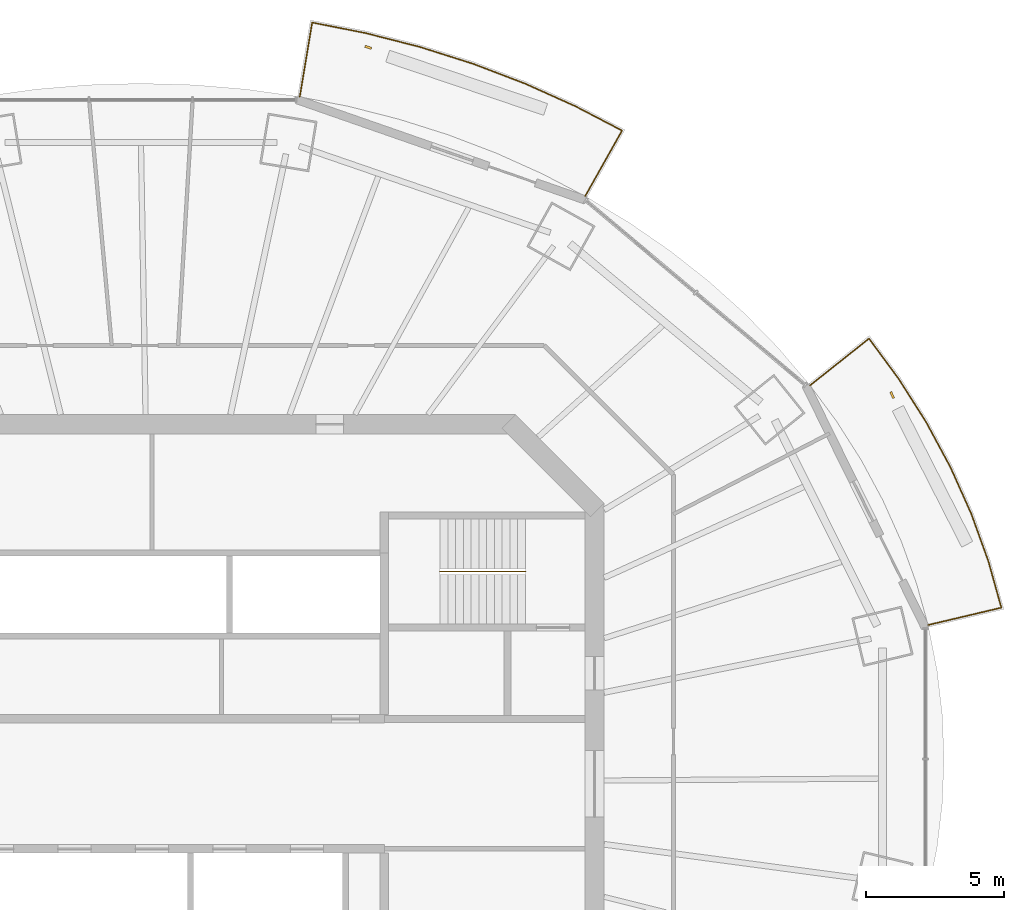
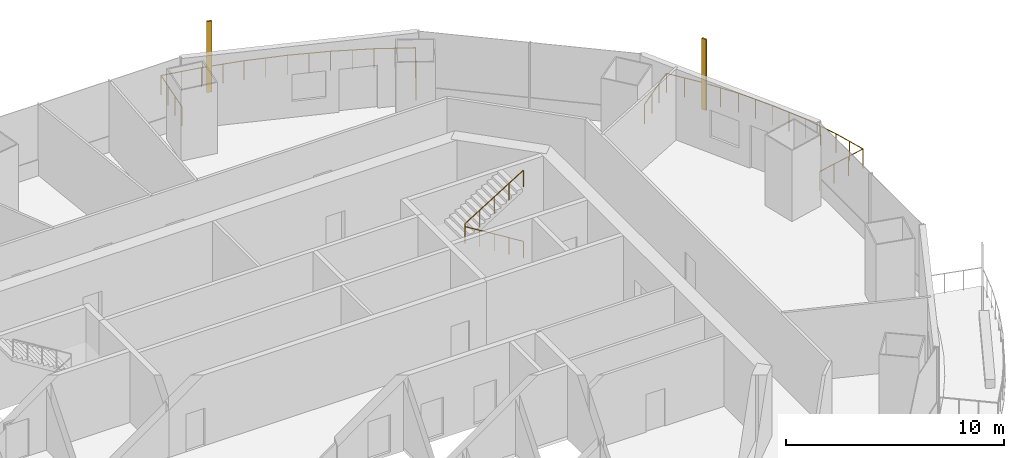
# One storey, part 15 of 16: 3 railings, 2 shading devices.
"""IFC4 building model written with IfcOpenShell, lengths in metres."""

import ifcopenshell
import ifcopenshell.guid

model = None  # the IFC model being written
_history = None  # IfcOwnerHistory: only IFC2X3 demands one
_inside = {}  # id of a spatial element -> (the spatial element, [elements in it])
_under = {}  # id of a project, library or spatial element -> (it, [spatial elements below it])
_declared = {}  # id of a project -> (the project, [libraries it declares])
_typed = {}  # id of a type object -> (the type object, [elements of that type])
_made_of = {}  # id of a material, layer set ... -> (it, [elements and type objects made of it])


def new_model(schema):
    """Start an empty IFC model of exactly this schema.

    Asked for "IFC4X3", IfcOpenShell would pick the latest addendum, in which some entities
    have other attributes; the version numbers below select the first issue.
    IFC2X3 requires an IfcOwnerHistory on every rooted entity: one is made here for all.
    """
    global model, _history
    if schema == "IFC4X3":
        model = ifcopenshell.file(schema_version=(4, 3, 0, 0))
    else:
        model = ifcopenshell.file(schema=schema)
    _inside.clear()
    _under.clear()
    _declared.clear()
    _typed.clear()
    _made_of.clear()
    _history = None
    if model.schema == "IFC2X3":
        org = make("IfcOrganization", Name="unknown")
        user = make(
            "IfcPersonAndOrganization",
            ThePerson=make("IfcPerson", FamilyName="unknown"),
            TheOrganization=org,
        )
        app = make(
            "IfcApplication",
            ApplicationDeveloper=org,
            Version="unknown",
            ApplicationFullName="unknown",
            ApplicationIdentifier="unknown",
        )
        _history = make(
            "IfcOwnerHistory",
            OwningUser=user,
            OwningApplication=app,
            ChangeAction="ADDED",
            CreationDate=0,
        )
    return model


def make(cls, **values):
    """One entity of the class cls with the attributes given. An attribute that is None is left unset."""
    return model.create_entity(
        cls, **{name: value for name, value in values.items() if value is not None}
    )


def rooted(cls, **values):
    """An entity with a GlobalId (a new one), such as an element, a storey or a relation."""
    return make(cls, GlobalId=ifcopenshell.guid.new(), OwnerHistory=_history, **values)


def si_unit(unit_type, name, prefix=None):
    """IfcSIUnit, for example si_unit("LENGTHUNIT", "METRE", prefix="MILLI")."""
    return make("IfcSIUnit", UnitType=unit_type, Prefix=prefix, Name=name)


def assignment(units):
    """IfcUnitAssignment: the units of a project."""
    return None if units is None else make("IfcUnitAssignment", Units=units)


def point(xyz):
    """IfcCartesianPoint."""
    return None if xyz is None else make("IfcCartesianPoint", Coordinates=xyz)


def direction(xyz):
    """IfcDirection."""
    return None if xyz is None else make("IfcDirection", DirectionRatios=xyz)


def frame(location, z_axis=None, x_axis=None):
    """IfcAxis2Placement3D, a coordinate frame: its origin and axes. An axis left out is left unset."""
    return make(
        "IfcAxis2Placement3D",
        Location=point(location),
        Axis=direction(z_axis),
        RefDirection=direction(x_axis),
    )


def frame_2d(location, x_axis=None):
    """IfcAxis2Placement2D, a coordinate frame in the plane: its origin and x axis."""
    return make(
        "IfcAxis2Placement2D", Location=point(location), RefDirection=direction(x_axis)
    )


def origin():
    """The frame at (0, 0, 0) with its axes left unset."""
    return frame((0.0, 0.0, 0.0))


def origin_2d():
    """The frame at (0, 0) in the plane with its x axis left unset."""
    return frame_2d((0.0, 0.0))


def place(relative_to, where):
    """IfcLocalPlacement: puts the frame where relative to a parent placement (None: the world)."""
    return make(
        "IfcLocalPlacement", PlacementRelTo=relative_to, RelativePlacement=where
    )


def context(
    kind, dimensions, precision=None, world=None, true_north=None, identifier=None
):
    """IfcGeometricRepresentationContext, for example the 3D "Model" context."""
    return make(
        "IfcGeometricRepresentationContext",
        ContextIdentifier=identifier,
        ContextType=kind,
        CoordinateSpaceDimension=dimensions,
        Precision=precision,
        WorldCoordinateSystem=world,
        TrueNorth=true_north,
    )


def subcontext(parent, identifier, kind, view, scale=None):
    """IfcGeometricRepresentationSubContext, for example "Body" below "Model"."""
    return make(
        "IfcGeometricRepresentationSubContext",
        ContextIdentifier=identifier,
        ContextType=kind,
        ParentContext=parent,
        TargetScale=scale,
        TargetView=view,
    )


def project(units=None, contexts=None):
    """IfcProject with its units and contexts."""
    return rooted(
        "IfcProject",
        Name="project",
        RepresentationContexts=contexts,
        UnitsInContext=assignment(units),
    )


def spatial(cls, under=None, at=None, **own):
    """A site, building, storey or space (cls), placed at a placement, below another one or the project."""
    s = rooted(cls, ObjectPlacement=at, **own)
    if under is not None:
        _under.setdefault(under.id(), (under, []))[1].append(s)
    return s


def profile(cls, at=None, kind="AREA", **sizes):
    """A parametric profile (cls). Its sizes go by their IFC names, for example OverallWidth=200.0."""
    return make(cls, ProfileType=kind, Position=at, **sizes)


def rectangle(**sizes):
    """IfcRectangleProfileDef."""
    return profile("IfcRectangleProfileDef", **sizes)


def circle(**sizes):
    """IfcCircleProfileDef."""
    return profile("IfcCircleProfileDef", **sizes)


def extrude(swept, where, along, depth):
    """IfcExtrudedAreaSolid: the profile swept, set in the frame where, extruded along a direction by depth."""
    return make(
        "IfcExtrudedAreaSolid",
        SweptArea=swept,
        Position=where,
        ExtrudedDirection=direction(along),
        Depth=depth,
    )


def shape(context_of_items, identifier, shape_type, items):
    """IfcShapeRepresentation: the items that make up one representation, for example the "Body"."""
    return make(
        "IfcShapeRepresentation",
        ContextOfItems=context_of_items,
        RepresentationIdentifier=identifier,
        RepresentationType=shape_type,
        Items=items,
    )


def material(Name=None, Category=None):
    """IfcMaterial."""
    return make("IfcMaterial", Name=Name, Category=Category)


def material_profile(
    of_material, cross_section, Name=None, Category=None, Priority=None
):
    """IfcMaterialProfile: a cross section and its material."""
    return make(
        "IfcMaterialProfile",
        Name=Name,
        Material=of_material,
        Profile=cross_section,
        Priority=Priority,
        Category=Category,
    )


def profile_set(profiles, Name=None, composite=None):
    """IfcMaterialProfileSet."""
    return make(
        "IfcMaterialProfileSet",
        Name=Name,
        MaterialProfiles=profiles,
        CompositeProfile=composite,
    )


def made_of(thing, what):
    """Note that an element or type object is made of a material, layer set ...; save() writes the relation."""
    if what is not None:
        _made_of.setdefault(what.id(), (what, []))[1].append(thing)
    return thing


def type_object(cls, material=None, **own):
    """A type object (cls), such as IfcWallType, which elements share."""
    return made_of(rooted(cls, **own), material)


def element(
    cls,
    number,
    at=None,
    inside=None,
    cuts=None,
    type_object=None,
    material=None,
    context=None,
    identifier="Body",
    shape_type=None,
    held_by="IfcProductDefinitionShape",
    body=None,
    shapes=None,
    **own,
):
    """One element of the class cls, such as IfcWall. Its Tag is "e" and its number.

    at: its placement. inside: the storey or other place that contains it. cuts: it is an
    opening in that element (IfcRelVoidsElement). A single representation is given by context,
    identifier, shape_type and body (its items); several are given by shapes. held_by: the class
    of the entity that holds the representations. save() writes the other relations.
    """
    e = rooted(cls, Tag="e%d" % number, ObjectPlacement=at, **own)
    if body is not None:
        shapes = [shape(context, identifier, shape_type, body)]
    if shapes is not None:
        e.Representation = make(held_by, Representations=shapes)
    if inside is not None:
        _inside.setdefault(inside.id(), (inside, []))[1].append(e)
    if cuts is not None:
        rooted(
            "IfcRelVoidsElement", RelatingBuildingElement=cuts, RelatedOpeningElement=e
        )
    if type_object is not None:
        _typed.setdefault(type_object.id(), (type_object, []))[1].append(e)
    return made_of(e, material)


def aggregate(whole, parts):
    """IfcRelAggregates: a whole, such as a stair, and the parts it consists of."""
    return rooted("IfcRelAggregates", RelatingObject=whole, RelatedObjects=parts)


def save(model, path):
    """Write the relations noted so far, then the file.

    IfcRelAggregates (storeys below a building ...), IfcRelContainedInSpatialStructure (elements
    in a storey), IfcRelDefinesByType, IfcRelAssociatesMaterial and IfcRelDeclares: one each for
    every whole, place, type object, material and project.
    """
    for whole, parts in _under.values():
        aggregate(whole, parts)
    for where, things in _inside.values():
        rooted(
            "IfcRelContainedInSpatialStructure",
            RelatedElements=things,
            RelatingStructure=where,
        )
    for kind, things in _typed.values():
        rooted("IfcRelDefinesByType", RelatedObjects=things, RelatingType=kind)
    for what, things in _made_of.values():
        rooted("IfcRelAssociatesMaterial", RelatedObjects=things, RelatingMaterial=what)
    for by, libraries in _declared.values():
        rooted("IfcRelDeclares", RelatingContext=by, RelatedDefinitions=libraries)
    model.write(path)


model = new_model("IFC4")

# Units and contexts
model_context = context("Model", 3, precision=1e-05, world=origin(), true_north=direction((0.0, 1.0)))
body_context = subcontext(model_context, "Body", "Model", "MODEL_VIEW")
ifc_project = project(units=[si_unit("LENGTHUNIT", "METRE"), si_unit("AREAUNIT", "SQUARE_METRE"), si_unit("VOLUMEUNIT", "CUBIC_METRE"), si_unit("PLANEANGLEUNIT", "RADIAN"), si_unit("MASSUNIT", "GRAM", prefix="KILO")], contexts=[model_context])

# Site, building, storey
site_placement = place(None, origin())
site = spatial("IfcSite", under=ifc_project, at=site_placement, CompositionType="ELEMENT")
building_placement = place(site_placement, origin())
building = spatial("IfcBuilding", under=site, at=building_placement, Name="Marenthal Gate Tower", CompositionType="ELEMENT")
storey_placement = place(building_placement, frame((0.0, 0.0, 284.5)))
storey = spatial("IfcBuildingStorey", under=building, at=storey_placement, Name="L63", CompositionType="ELEMENT", Elevation=284.5)

# Railings
ifc_material_1 = material(Name="Stainless steel", Category="steel")
railing_type_1 = type_object("IfcRailingType", Name="Balcony guard 1100", PredefinedType="GUARDRAIL", material=ifc_material_1)
railing_1_placement = place(storey_placement, frame((23.7939453125, 14.406005859375, 0.0)))
element("IfcRailing", 1, at=railing_1_placement, inside=storey, type_object=railing_type_1, Name="Balcony guard L63 bay 1", PredefinedType="GUARDRAIL", context=body_context, shape_type="SweptSolid", body=[
    extrude(circle(Radius=0.02392578125, at=origin_2d()), frame((0.0, 0.0, 1.076171875), z_axis=(0.783212380728, 0.621580033106, -0.014718325936), x_axis=(-0.621647370214, 0.783297227817, 0.0)), (0.0, 0.0, 1.0), 2.720458984375),
    extrude(circle(Radius=0.02392578125, at=origin_2d()), frame((2.130615234375, 1.69091796875, 1.0361328125), z_axis=(0.593175870863, -0.805072907398, 0.0), x_axis=(0.805072907398, 0.593175870863, 0.0)), (0.0, 0.0, 1.0), 1.79736328125),
    extrude(circle(Radius=0.02392578125, at=origin_2d()), frame((3.19677734375, 0.243896484375, 1.0361328125), z_axis=(0.536341470097, -0.844001082614, 0.0), x_axis=(0.844001082614, 0.536341470097, 0.0)), (0.0, 0.0, 1.0), 1.864013671875),
    extrude(circle(Radius=0.02392578125, at=origin_2d()), frame((4.196533203125, -1.329345703125, 1.0361328125), z_axis=(0.474178476771, -0.880428743379, 0.0), x_axis=(0.880428743379, 0.474178476771, 0.0)), (0.0, 0.0, 1.0), 1.85107421875),
    extrude(circle(Radius=0.02392578125, at=origin_2d()), frame((5.07421875, -2.958984375, 1.0361328125), z_axis=(0.408427160426, -0.912790915066, 0.0), x_axis=(0.912790915066, 0.408427160426, 0.0)), (0.0, 0.0, 1.0), 1.83984375),
    extrude(circle(Radius=0.02392578125, at=origin_2d()), frame((5.82568359375, -4.638427734375, 1.0361328125), z_axis=(0.339224848664, -0.94070532158, 0.0), x_axis=(0.94070532158, 0.339224848664, 0.0)), (0.0, 0.0, 1.0), 1.830322265625),
    extrude(circle(Radius=0.02392578125, at=origin_2d()), frame((6.446533203125, -6.360107421875, 1.0361328125), z_axis=(0.268792920524, -0.963197988929, 0.0), x_axis=(0.963197988929, 0.268792920524, 0.0)), (0.0, 0.0, 1.0), 1.7421875),
    extrude(circle(Radius=0.02392578125, at=origin_2d()), frame((6.914794921875, -8.0380859375, 1.0361328125), z_axis=(-0.973097096147, -0.229924814196, 0.014718059925), x_axis=(0.229949721547, -0.973202510046, 0.0)), (0.0, 0.0, 1.0), 2.720458984375),
    extrude(circle(Radius=0.02099609375, at=origin_2d()), origin(), (0.0, 0.0, 1.0), 1.052001953125),
    extrude(circle(Radius=0.02099609375, at=origin_2d()), frame((0.710205078125, 0.563720703125, -0.013427734375)), (0.0, 0.0, 1.0), 1.052001953125),
    extrude(circle(Radius=0.02099609375, at=origin_2d()), frame((1.42041015625, 1.127197265625, -0.026611328125)), (0.0, 0.0, 1.0), 1.052001953125),
    extrude(circle(Radius=0.02099609375, at=origin_2d()), frame((2.130615234375, 1.69091796875, -0.0400390625)), (0.0, 0.0, 1.0), 1.052001953125),
    extrude(circle(Radius=0.02099609375, at=origin_2d()), frame((2.66357421875, 0.96728515625, -0.0400390625)), (0.0, 0.0, 1.0), 1.052001953125),
    extrude(circle(Radius=0.02099609375, at=origin_2d()), frame((3.19677734375, 0.243896484375, -0.0400390625)), (0.0, 0.0, 1.0), 1.052001953125),
    extrude(circle(Radius=0.02099609375, at=origin_2d()), frame((3.69677734375, -0.542724609375, -0.0400390625)), (0.0, 0.0, 1.0), 1.052001953125),
    extrude(circle(Radius=0.02099609375, at=origin_2d()), frame((4.196533203125, -1.329345703125, -0.0400390625)), (0.0, 0.0, 1.0), 1.052001953125),
    extrude(circle(Radius=0.02099609375, at=origin_2d()), frame((4.63525390625, -2.14404296875, -0.0400390625)), (0.0, 0.0, 1.0), 1.052001953125),
    extrude(circle(Radius=0.02099609375, at=origin_2d()), frame((5.07421875, -2.958984375, -0.0400390625)), (0.0, 0.0, 1.0), 1.052001953125),
    extrude(circle(Radius=0.02099609375, at=origin_2d()), frame((5.449951171875, -3.798828125, -0.0400390625)), (0.0, 0.0, 1.0), 1.052001953125),
    extrude(circle(Radius=0.02099609375, at=origin_2d()), frame((5.82568359375, -4.638427734375, -0.0400390625)), (0.0, 0.0, 1.0), 1.052001953125),
    extrude(circle(Radius=0.02099609375, at=origin_2d()), frame((6.13623046875, -5.499267578125, -0.0400390625)), (0.0, 0.0, 1.0), 1.052001953125),
    extrude(circle(Radius=0.02099609375, at=origin_2d()), frame((6.446533203125, -6.360107421875, -0.0400390625)), (0.0, 0.0, 1.0), 1.052001953125),
    extrude(circle(Radius=0.02099609375, at=origin_2d()), frame((6.6806640625, -7.19921875, -0.0400390625)), (0.0, 0.0, 1.0), 1.052001953125),
    extrude(circle(Radius=0.02099609375, at=origin_2d()), frame((6.914794921875, -8.0380859375, -0.0400390625)), (0.0, 0.0, 1.0), 1.052001953125),
    extrude(circle(Radius=0.02099609375, at=origin_2d()), frame((6.032470703125, -8.24658203125, -0.026611328125)), (0.0, 0.0, 1.0), 1.052001953125),
    extrude(circle(Radius=0.02099609375, at=origin_2d()), frame((5.14990234375, -8.455078125, -0.013427734375)), (0.0, 0.0, 1.0), 1.052001953125),
    extrude(circle(Radius=0.02099609375, at=origin_2d()), frame((4.267578125, -8.66357421875, 0.0)), (0.0, 0.0, 1.0), 1.052001953125),
])
railing_2_placement = place(storey_placement, frame((5.343994140625, 24.840576171875, 0.0)))
element("IfcRailing", 2, at=railing_2_placement, inside=storey, type_object=railing_type_1, Name="Balcony guard L63 bay 3", PredefinedType="GUARDRAIL", context=body_context, shape_type="SweptSolid", body=[
    extrude(circle(Radius=0.02392578125, at=origin_2d()), frame((0.0, 0.0, 1.076171875), z_axis=(0.16513793129, 0.986160646201, -0.014718815615), x_axis=(-0.986267486225, 0.165155822229, 0.0)), (0.0, 0.0, 1.0), 2.72021484375),
    extrude(circle(Radius=0.02392578125, at=origin_2d()), frame((0.44921875, 2.6826171875, 1.0361328125), z_axis=(0.981071534784, -0.193645665165, 0.0), x_axis=(0.193645665165, 0.981071534784, 0.0)), (0.0, 0.0, 1.0), 1.9580078125),
    extrude(circle(Radius=0.02392578125, at=origin_2d()), frame((2.3701171875, 2.303466796875, 1.0361328125), z_axis=(0.968985746555, -0.247116618165, 0.0), x_axis=(0.247116618165, 0.968985746555, 0.0)), (0.0, 0.0, 1.0), 2.0302734375),
    extrude(circle(Radius=0.02392578125, at=origin_2d()), frame((4.33740234375, 1.8017578125, 1.0361328125), z_axis=(0.953335850503, -0.301911835054, 0.0), x_axis=(0.301911835054, 0.953335850503, 0.0)), (0.0, 0.0, 1.0), 2.020751953125),
    extrude(circle(Radius=0.02392578125, at=origin_2d()), frame((6.263916015625, 1.191650390625, 1.0361328125), z_axis=(0.934433846475, -0.356136752614, 0.0), x_axis=(0.356136752614, 0.934433846475, 0.0)), (0.0, 0.0, 1.0), 2.010009765625),
    extrude(circle(Radius=0.02392578125, at=origin_2d()), frame((8.14208984375, 0.475830078125, 1.0361328125), z_axis=(0.912074652347, -0.41002418044, 0.0), x_axis=(0.41002418044, 0.912074652347, 0.0)), (0.0, 0.0, 1.0), 1.99755859375),
    extrude(circle(Radius=0.02392578125, at=origin_2d()), frame((9.964111328125, -0.34326171875, 1.0361328125), z_axis=(0.886680853455, -0.46238194614, 0.0), x_axis=(0.46238194614, 0.886680853455, 0.0)), (0.0, 0.0, 1.0), 1.904052734375),
    extrude(circle(Radius=0.02392578125, at=origin_2d()), frame((11.65234375, -1.2236328125, 1.0361328125), z_axis=(-0.490178311325, -0.871497909425, 0.014717913412), x_axis=(0.871592315383, -0.490231410423, 0.0)), (0.0, 0.0, 1.0), 2.720458984375),
    extrude(circle(Radius=0.02099609375, at=origin_2d()), origin(), (0.0, 0.0, 1.0), 1.052001953125),
    extrude(circle(Radius=0.02099609375, at=origin_2d()), frame((0.149658203125, 0.894287109375, -0.013427734375)), (0.0, 0.0, 1.0), 1.052001953125),
    extrude(circle(Radius=0.02099609375, at=origin_2d()), frame((0.299560546875, 1.788330078125, -0.026611328125)), (0.0, 0.0, 1.0), 1.052001953125),
    extrude(circle(Radius=0.02099609375, at=origin_2d()), frame((0.44921875, 2.6826171875, -0.0400390625)), (0.0, 0.0, 1.0), 1.052001953125),
    extrude(circle(Radius=0.02099609375, at=origin_2d()), frame((1.40966796875, 2.4931640625, -0.0400390625)), (0.0, 0.0, 1.0), 1.052001953125),
    extrude(circle(Radius=0.02099609375, at=origin_2d()), frame((2.3701171875, 2.303466796875, -0.0400390625)), (0.0, 0.0, 1.0), 1.052001953125),
    extrude(circle(Radius=0.02099609375, at=origin_2d()), frame((3.353759765625, 2.052734375, -0.0400390625)), (0.0, 0.0, 1.0), 1.052001953125),
    extrude(circle(Radius=0.02099609375, at=origin_2d()), frame((4.33740234375, 1.8017578125, -0.0400390625)), (0.0, 0.0, 1.0), 1.052001953125),
    extrude(circle(Radius=0.02099609375, at=origin_2d()), frame((5.30078125, 1.49658203125, -0.0400390625)), (0.0, 0.0, 1.0), 1.052001953125),
    extrude(circle(Radius=0.02099609375, at=origin_2d()), frame((6.263916015625, 1.191650390625, -0.0400390625)), (0.0, 0.0, 1.0), 1.052001953125),
    extrude(circle(Radius=0.02099609375, at=origin_2d()), frame((7.203125, 0.833740234375, -0.0400390625)), (0.0, 0.0, 1.0), 1.052001953125),
    extrude(circle(Radius=0.02099609375, at=origin_2d()), frame((8.14208984375, 0.475830078125, -0.0400390625)), (0.0, 0.0, 1.0), 1.052001953125),
    extrude(circle(Radius=0.02099609375, at=origin_2d()), frame((9.05322265625, 0.06640625, -0.0400390625)), (0.0, 0.0, 1.0), 1.052001953125),
    extrude(circle(Radius=0.02099609375, at=origin_2d()), frame((9.964111328125, -0.34326171875, -0.0400390625)), (0.0, 0.0, 1.0), 1.052001953125),
    extrude(circle(Radius=0.02099609375, at=origin_2d()), frame((10.80810546875, -0.783447265625, -0.0400390625)), (0.0, 0.0, 1.0), 1.052001953125),
    extrude(circle(Radius=0.02099609375, at=origin_2d()), frame((11.65234375, -1.2236328125, -0.0400390625)), (0.0, 0.0, 1.0), 1.052001953125),
    extrude(circle(Radius=0.02099609375, at=origin_2d()), frame((11.207763671875, -2.013916015625, -0.026611328125)), (0.0, 0.0, 1.0), 1.052001953125),
    extrude(circle(Radius=0.02099609375, at=origin_2d()), frame((10.763427734375, -2.80419921875, -0.013427734375)), (0.0, 0.0, 1.0), 1.052001953125),
    extrude(circle(Radius=0.02099609375, at=origin_2d()), frame((10.31884765625, -3.594482421875, 0.0)), (0.0, 0.0, 1.0), 1.052001953125),
])
ifc_material_2 = material(Name="Stainless steel", Category="steel")
railing_type_2 = type_object("IfcRailingType", Name="Stair handrail", PredefinedType="HANDRAIL", material=ifc_material_2)
railing_3_placement = place(storey_placement, frame((13.5, 7.675048828125, 0.1728515625)))
element("IfcRailing", 3, at=railing_3_placement, inside=storey, type_object=railing_type_2, Name="Handrail ST3", PredefinedType="HANDRAIL", context=body_context, shape_type="SweptSolid", body=[
    extrude(circle(Radius=0.0224609375, at=origin_2d()), frame((0.0, 0.0, 0.927490234375), z_axis=(-0.850835241893, 0.0, 0.525432575268), x_axis=(0.0, -1.0, 0.0)), (0.0, 0.0, 1.0), 3.6201171875),
    extrude(circle(Radius=0.0224609375, at=origin_2d()), frame((-3.080078125, 0.0, 2.82958984375), z_axis=(0.0, 0.0, 1.0), x_axis=(1.0, 0.0, 0.0)), (0.0, 0.0, 1.0), 0.1728515625),
    extrude(circle(Radius=0.0224609375, at=origin_2d()), frame((-3.080078125, 0.0, 3.00244140625), z_axis=(0.850835241893, 0.0, 0.525432575268), x_axis=(0.0, 1.0, 0.0)), (0.0, 0.0, 1.0), 3.6201171875),
    extrude(circle(Radius=0.02001953125, at=origin_2d()), origin(), (0.0, 0.0, 1.0), 0.905029296875),
    extrude(circle(Radius=0.02001953125, at=origin_2d()), frame((-0.77001953125, 0.0, 0.4755859375)), (0.0, 0.0, 1.0), 0.905029296875),
    extrude(circle(Radius=0.02001953125, at=origin_2d()), frame((-1.5400390625, 0.0, 0.951171875)), (0.0, 0.0, 1.0), 0.905029296875),
    extrude(circle(Radius=0.02001953125, at=origin_2d()), frame((-2.31005859375, 0.0, 1.426513671875)), (0.0, 0.0, 1.0), 0.905029296875),
    extrude(circle(Radius=0.02001953125, at=origin_2d()), frame((-3.080078125, 0.0, 1.902099609375)), (0.0, 0.0, 1.0), 0.905029296875),
    extrude(circle(Radius=0.02001953125, at=origin_2d()), frame((-3.080078125, 0.0, 2.074951171875)), (0.0, 0.0, 1.0), 0.905029296875),
    extrude(circle(Radius=0.02001953125, at=origin_2d()), frame((-2.31005859375, 0.0, 2.550537109375)), (0.0, 0.0, 1.0), 0.905029296875),
    extrude(circle(Radius=0.02001953125, at=origin_2d()), frame((-1.5400390625, 0.0, 3.02587890625)), (0.0, 0.0, 1.0), 0.905029296875),
    extrude(circle(Radius=0.02001953125, at=origin_2d()), frame((-0.77001953125, 0.0, 3.50146484375)), (0.0, 0.0, 1.0), 0.905029296875),
    extrude(circle(Radius=0.02001953125, at=origin_2d()), frame((0.0, 0.0, 3.97705078125)), (0.0, 0.0, 1.0), 0.905029296875),
])

# Shading devices
ifc_material_3 = material(Name="Terracotta", Category="masonry")
ifc_material_profile = material_profile(ifc_material_3, rectangle(XDim=0.25, YDim=0.080078125, at=origin_2d()), Name="Terracotta baguette 250x80")
ifc_profile_set = profile_set([ifc_material_profile], Name="Terracotta")
shading_device_type = type_object("IfcShadingDeviceType", Name="Terracotta BAGUETTE SCREEN 250x80", PredefinedType="USERDEFINED", material=ifc_profile_set)
for number, where, z_axis, x_axis, name in (
    (4, (26.760498046875, 14.056884765625, -0.0400390625), (0.0, 0.0, 1.0), (-0.441711416968, 0.897157190307, 0.0), "Terracotta BAGUETTE L63 bay 1R"),
    (5, (7.819091796875, 26.628173828125, -0.0400390625), (0.0, 0.0, 1.0), (-0.944304873933, 0.329071884345, 0.0), "Terracotta BAGUETTE L63 bay 3R"),
):
    element("IfcShadingDevice", number, at=place(storey_placement, frame(where, z_axis=z_axis, x_axis=x_axis)), inside=storey, type_object=shading_device_type, Name=name, ObjectType="BAGUETTE SCREEN", PredefinedType="USERDEFINED", context=body_context, shape_type="SweptSolid", body=[
        extrude(rectangle(XDim=0.25, YDim=0.080078125, at=origin_2d()), origin(), (0.0, 0.0, 1.0), 3.969970703125),
    ])

save(model, "model.ifc")
